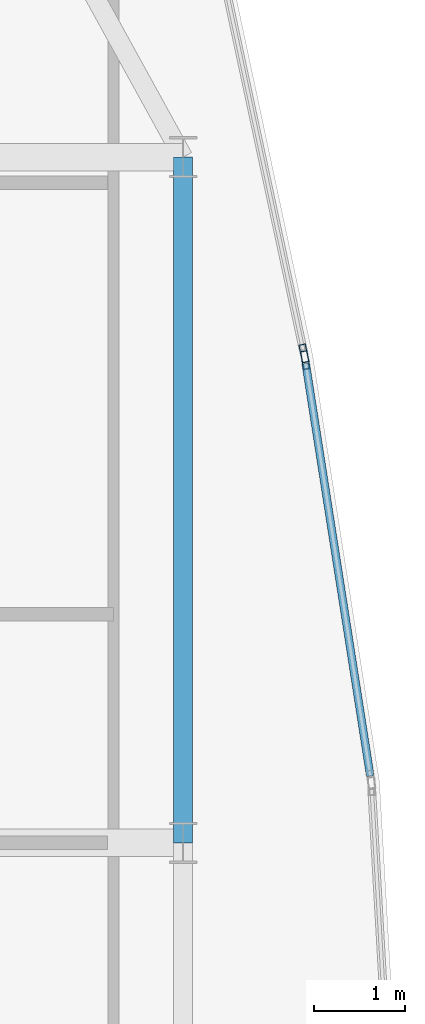
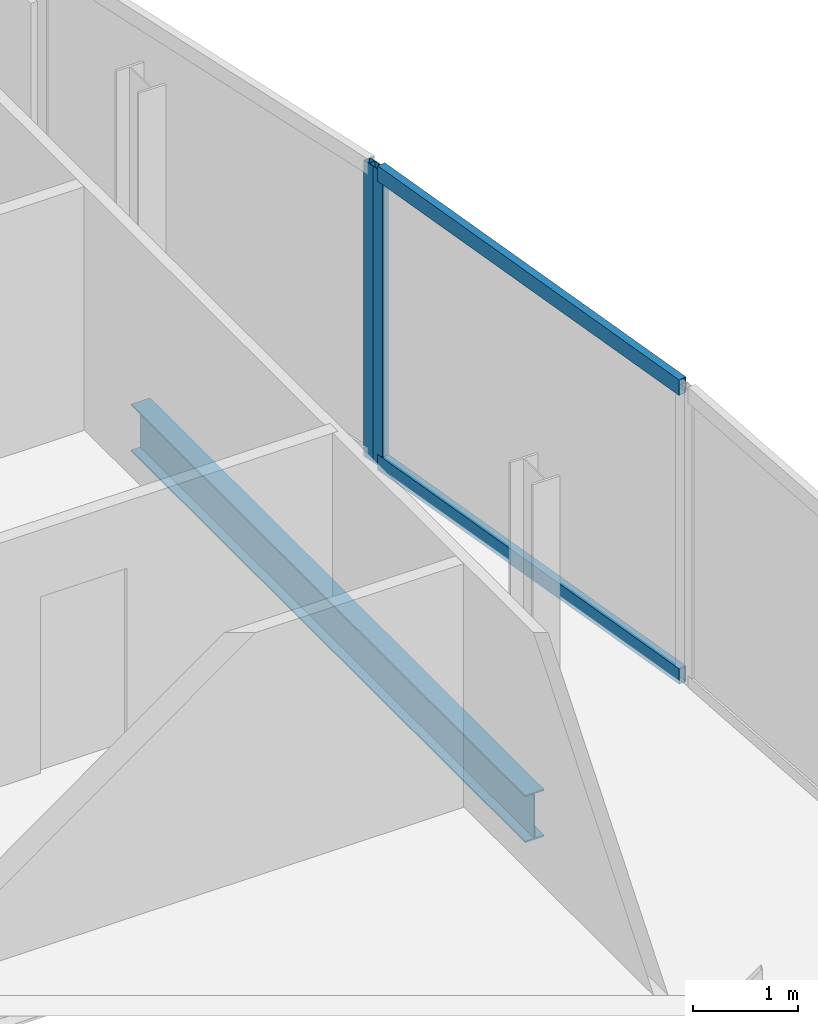
# One storey, part 19 of 29: 4 members, 1 beam, 2 elements without a shape of their own.
"""IFC4 building model written with IfcOpenShell, lengths in metres."""

from ifc_helpers import new_model, si_unit, direction, frame, origin, origin_2d, place, context, subcontext, project, spatial, hollow_rectangle, i_section, extrude, material, material_profile, profile_set, type_object, element, aggregate, save


model = new_model("IFC4")

# Units and contexts
model_context = context("Model", 3, precision=1e-05, world=origin(), true_north=direction((0.0, 1.0)))
body_context = subcontext(model_context, "Body", "Model", "MODEL_VIEW")
ifc_project = project(units=[si_unit("LENGTHUNIT", "METRE"), si_unit("AREAUNIT", "SQUARE_METRE"), si_unit("VOLUMEUNIT", "CUBIC_METRE"), si_unit("PLANEANGLEUNIT", "RADIAN"), si_unit("MASSUNIT", "GRAM", prefix="KILO")], contexts=[model_context])

# Site, building, storey
site_placement = place(None, origin())
site = spatial("IfcSite", under=ifc_project, at=site_placement, CompositionType="ELEMENT")
building_placement = place(site_placement, origin())
building = spatial("IfcBuilding", under=site, at=building_placement, Name="Khoronbel Lancet Exchange", CompositionType="ELEMENT")
storey_placement = place(building_placement, frame((0.0, 0.0, 329.0)))
storey = spatial("IfcBuildingStorey", under=building, at=storey_placement, Name="L85", CompositionType="ELEMENT", Elevation=329.0)

# Beam
ifc_material_1 = material(Name="Steel S355", Category="steel")
ifc_material_profile_1 = material_profile(ifc_material_1, i_section(OverallWidth=0.2099609375, OverallDepth=0.550048828125, WebThickness=0.010986328125, FlangeThickness=0.01708984375, at=origin_2d()), Name="IPE 550")
ifc_profile_set_1 = profile_set([ifc_material_profile_1], Name="Steel S355")
beam_type = type_object("IfcBeamType", Name="BM-BSP3", PredefinedType="SPANDREL", material=ifc_profile_set_1)
beam_placement = place(storey_placement, frame((61.6298828125, 35.699951171875, -0.43505859375), z_axis=(0.0, 1.0, 0.0), x_axis=(-1.0, 0.0, 0.0)))
element("IfcBeam", 1, at=beam_placement, inside=storey, type_object=beam_type, Name="Level L85 perimeter spandrel beam SP12", PredefinedType="SPANDREL", context=body_context, shape_type="SweptSolid", body=[
    extrude(i_section(OverallWidth=0.2099609375, OverallDepth=0.550048828125, WebThickness=0.010986328125, FlangeThickness=0.01708984375, at=origin_2d()), origin(), (0.0, 0.0, 1.0), 7.5),
])

# Curtain wall, member
ifc_material_2 = material(Name="Low-E Solar Control Insulating Glass", Category="glass")
curtain_wall_type = type_object("IfcCurtainWallType", Name="CW-4", PredefinedType="NOTDEFINED", material=ifc_material_2)
curtain_wall_1_placement = place(storey_placement, origin())
curtain_wall_1 = element("IfcCurtainWall", 2, at=curtain_wall_1_placement, inside=storey, type_object=curtain_wall_type, Name="Unitised curtain wall CW-L85-E17", PredefinedType="NOTDEFINED")
ifc_material_3 = material(Name="Bronze-Anodised Aluminium 6063-T6", Category="aluminium")
ifc_material_profile_2 = material_profile(ifc_material_3, hollow_rectangle(XDim=0.074951171875, YDim=0.199951171875, WallThickness=0.0048828125, at=origin_2d()), Name="ALU MULLION 75x200")
ifc_profile_set_2 = profile_set([ifc_material_profile_2], Name="Bronze-Anodised Aluminium 6063-T6")
member_type_1 = type_object("IfcMemberType", Name="MEM-CWM2", PredefinedType="MULLION", material=ifc_profile_set_2)
member_1_placement = place(storey_placement, frame((62.95166015625, 41.053466796875, 0.0), z_axis=(0.0, 0.0, 1.0), x_axis=(0.977891735749, 0.209111819739, 0.0)))
member_1 = element("IfcMember", 3, at=member_1_placement, type_object=member_type_1, Name="CW4 mullion 2", PredefinedType="MULLION", context=body_context, shape_type="SweptSolid", body=[
    extrude(hollow_rectangle(XDim=0.074951171875, YDim=0.199951171875, WallThickness=0.0048828125, at=origin_2d()), origin(), (0.0, 0.0, 1.0), 3.43994140625),
])
aggregate(curtain_wall_1, [member_1])

# Curtain wall, members
curtain_wall_2_placement = place(storey_placement, origin())
curtain_wall_2 = element("IfcCurtainWall", 4, at=curtain_wall_2_placement, inside=storey, type_object=curtain_wall_type, Name="Unitised curtain wall CW-L85-E18", PredefinedType="NOTDEFINED")
member_2_placement = place(storey_placement, frame((62.965087890625, 40.979736328125, 0.0), z_axis=(0.0, 0.0, 1.0), x_axis=(0.987966514912, 0.154667919789, 0.0)))
member_2 = element("IfcMember", 5, at=member_2_placement, type_object=member_type_1, Name="CW4 mullion 1", PredefinedType="MULLION", context=body_context, shape_type="SweptSolid", body=[
    extrude(hollow_rectangle(XDim=0.074951171875, YDim=0.199951171875, WallThickness=0.0048828125, at=origin_2d()), origin(), (0.0, 0.0, 1.0), 3.43994140625),
])
ifc_material_profile_3 = material_profile(ifc_material_3, hollow_rectangle(XDim=0.0849609375, YDim=0.179931640625, WallThickness=0.0048828125, at=origin_2d()), Name="ALU TRANSOM 85x180")
ifc_profile_set_3 = profile_set([ifc_material_profile_3], Name="Bronze-Anodised Aluminium 6063-T6")
member_type_2 = type_object("IfcMemberType", Name="MEM-CWT1", PredefinedType="USERDEFINED", material=ifc_profile_set_3)
member_3_placement = place(storey_placement, frame((62.970947265625, 40.94287109375, 0.04248046875), z_axis=(0.154663904025, -0.987967143579, 0.0), x_axis=(0.987967143579, 0.154663904025, 0.0)))
member_3 = element("IfcMember", 6, at=member_3_placement, type_object=member_type_2, Name="CW4 transom 1.1", ObjectType="TRANSOM", PredefinedType="USERDEFINED", context=body_context, shape_type="SweptSolid", body=[
    extrude(hollow_rectangle(XDim=0.0849609375, YDim=0.179931640625, WallThickness=0.0048828125, at=origin_2d()), origin(), (0.0, 0.0, 1.0), 4.566650390625),
])
member_4_placement = place(storey_placement, frame((62.970947265625, 40.94287109375, 3.3974609375), z_axis=(0.154663904025, -0.987967143579, 0.0), x_axis=(0.987967143579, 0.154663904025, 0.0)))
member_4 = element("IfcMember", 7, at=member_4_placement, type_object=member_type_2, Name="CW4 transom 1.2", ObjectType="TRANSOM", PredefinedType="USERDEFINED", context=body_context, shape_type="SweptSolid", body=[
    extrude(hollow_rectangle(XDim=0.0849609375, YDim=0.179931640625, WallThickness=0.0048828125, at=origin_2d()), origin(), (0.0, 0.0, 1.0), 4.566650390625),
])
aggregate(curtain_wall_2, [member_2, member_3, member_4])

save(model, "model.ifc")
